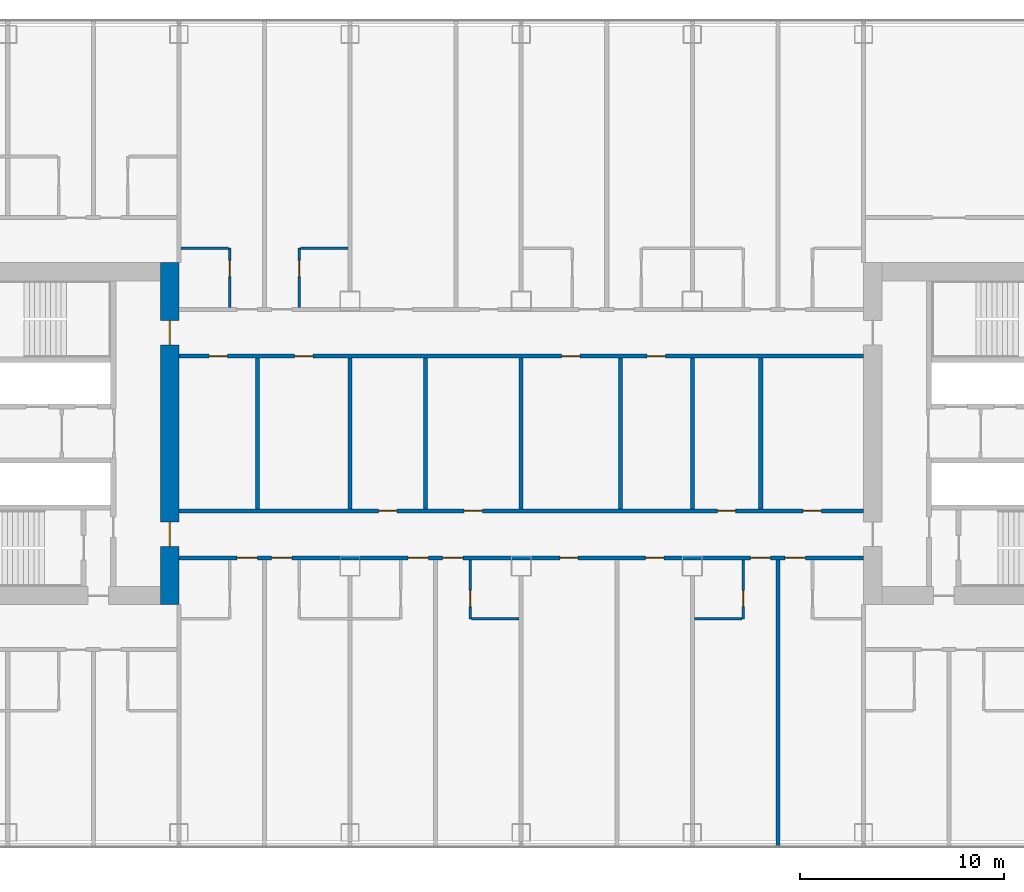
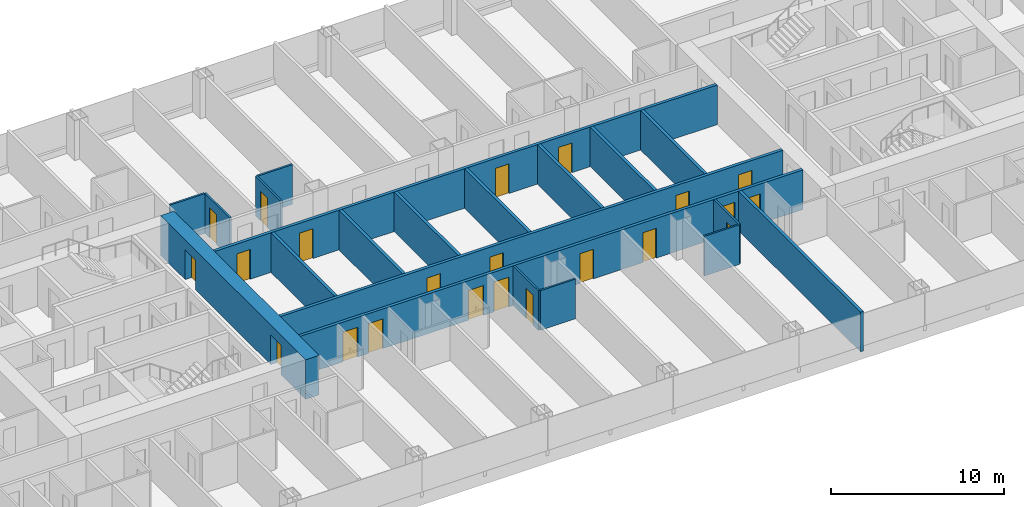
# One storey, part 16 of 29: 22 doors, 20 walls, 22 openings.
"""IFC4 building model written with IfcOpenShell, lengths in metres."""

from ifc_helpers import new_model, si_unit, direction, frame, frame_2d, origin, place, context, subcontext, project, spatial, rectangle, extrude, material, layer, layer_set, type_object, element, fill, save


model = new_model("IFC4")

# Units and contexts
model_context = context("Model", 3, precision=1e-05, world=origin(), true_north=direction((0.0, 1.0)))
body_context = subcontext(model_context, "Body", "Model", "MODEL_VIEW")
ifc_project = project(units=[si_unit("LENGTHUNIT", "METRE"), si_unit("AREAUNIT", "SQUARE_METRE"), si_unit("VOLUMEUNIT", "CUBIC_METRE"), si_unit("PLANEANGLEUNIT", "RADIAN"), si_unit("MASSUNIT", "GRAM", prefix="KILO")], contexts=[model_context])

# Site, building, storey
site_placement = place(None, origin())
site = spatial("IfcSite", under=ifc_project, at=site_placement, CompositionType="ELEMENT")
building_placement = place(site_placement, origin())
building = spatial("IfcBuilding", under=site, at=building_placement, Name="Hakoniwa Tower and Hamabe Station Hall", CompositionType="ELEMENT")
storey_placement = place(building_placement, frame((0.0, 0.0, 55.0)))
storey = spatial("IfcBuildingStorey", under=building, at=storey_placement, Name="L15", CompositionType="ELEMENT", Elevation=55.0)

# Walls
ifc_material_1 = material(Name="Gypsum board partition", Category="gypsum")
ifc_layer_1 = layer(ifc_material_1, 0.125)
ifc_layer_set_1 = layer_set([ifc_layer_1], Name="Bathroom Partition 125")
wall_type_1 = type_object("IfcWallType", Name="Bathroom Partition 125", PredefinedType="PARTITIONING", material=ifc_layer_set_1)
for number, where, z_axis, x_axis, name in (
    (1, (-2.4375, -9.10009765625, 0.0), (0.0, 0.0, 1.0), (1.0, 0.0, 0.0), "GW-L15-015"),
    (2, (8.5, -9.10009765625, 0.0), (0.0, 0.0, 1.0), (1.0, 0.0, 0.0), "GW-L15-016"),
    (3, (-16.699951171875, 9.10009765625, 0.0), (0.0, 0.0, 1.0), (1.0, 0.0, 0.0), "GW-L15-035"),
    (4, (-10.83740234375, 9.10009765625, 0.0), (0.0, 0.0, 1.0), (1.0, 0.0, 0.0), "GW-L15-036"),
):
    element("IfcWall", number, at=place(storey_placement, frame(where, z_axis=z_axis, x_axis=x_axis)), inside=storey, type_object=wall_type_1, Name=name, PredefinedType="PARTITIONING", context=body_context, shape_type="SweptSolid", body=[
        extrude(rectangle(XDim=2.33740234375, YDim=0.125, at=frame_2d((1.168701171875, 0.0))), origin(), (0.0, 0.0, 1.0), 2.800048828125),
    ])

# Wall, opening, door
wall_1_placement = place(storey_placement, frame((-14.300048828125, 6.199951171875, 0.0), z_axis=(0.0, 0.0, 1.0), x_axis=(0.0, 1.0, 0.0)))
wall_1 = element("IfcWall", 5, at=wall_1_placement, inside=storey, type_object=wall_type_1, Name="GW-L15-085", PredefinedType="PARTITIONING", context=body_context, shape_type="SweptSolid", body=[
    extrude(rectangle(XDim=2.900146484375, YDim=0.125, at=frame_2d((1.4501953125, 0.0))), origin(), (0.0, 0.0, 1.0), 2.800048828125),
])
opening_1_placement = place(wall_1_placement, frame((1.5, 0.0, 0.0)))
opening_1 = element("IfcOpeningElement", 6, at=opening_1_placement, cuts=wall_1, Name="Opening GD-G1B2-84", PredefinedType="OPENING", context=body_context, shape_type="SweptSolid", body=[
    extrude(rectangle(XDim=0.800048828125, YDim=2.10009765625, at=frame_2d((0.39990234375, 1.050048828125))), frame((0.0, 0.072509765625, 0.0), z_axis=(0.0, -1.0, 0.0), x_axis=(1.0, 0.0, 0.0)), (0.0, 0.0, 1.0), 0.14501953125),
])
ifc_material_2 = material(Name="Timber door leaf", Category="wood")
door_type_1 = type_object("IfcDoorType", Name="Bathroom Door 800", OperationType="SINGLE_SWING_LEFT", PredefinedType="DOOR", material=ifc_material_2)
door_1_placement = place(opening_1_placement, origin())
door_1 = element("IfcDoor", 7, at=door_1_placement, inside=storey, type_object=door_type_1, Name="Door GD-G1B2-84", OperationType="SINGLE_SWING_LEFT", OverallHeight=2.10009765625, OverallWidth=0.800048828125, PredefinedType="DOOR", context=body_context, shape_type="SweptSolid", body=[
    extrude(rectangle(XDim=0.800048828125, YDim=2.10009765625, at=frame_2d((0.39990234375, 1.050048828125))), frame((0.0, 0.02490234375, 0.0), z_axis=(0.0, -1.0, 0.0), x_axis=(1.0, 0.0, 0.0)), (0.0, 0.0, 1.0), 0.050048828125),
])
fill(opening_1, door_1)

wall_2_placement = place(storey_placement, frame((-10.89990234375, 6.199951171875, 0.0), z_axis=(0.0, 0.0, 1.0), x_axis=(0.0, 1.0, 0.0)))
wall_2 = element("IfcWall", 8, at=wall_2_placement, inside=storey, type_object=wall_type_1, Name="GW-L15-090", PredefinedType="PARTITIONING", context=body_context, shape_type="SweptSolid", body=[
    extrude(rectangle(XDim=2.900146484375, YDim=0.125, at=frame_2d((1.4501953125, 0.0))), origin(), (0.0, 0.0, 1.0), 2.800048828125),
])
opening_2_placement = place(wall_2_placement, frame((1.5, 0.0, 0.0)))
opening_2 = element("IfcOpeningElement", 9, at=opening_2_placement, cuts=wall_2, Name="Opening GD-G1B2-86", PredefinedType="OPENING", context=body_context, shape_type="SweptSolid", body=[
    extrude(rectangle(XDim=0.800048828125, YDim=2.10009765625, at=frame_2d((0.39990234375, 1.050048828125))), frame((0.0, 0.072509765625, 0.0), z_axis=(0.0, -1.0, 0.0), x_axis=(1.0, 0.0, 0.0)), (0.0, 0.0, 1.0), 0.14501953125),
])
door_2_placement = place(opening_2_placement, origin())
door_2 = element("IfcDoor", 10, at=door_2_placement, inside=storey, type_object=door_type_1, Name="Door GD-G1B2-86", OperationType="SINGLE_SWING_RIGHT", OverallHeight=2.10009765625, OverallWidth=0.800048828125, PredefinedType="DOOR", context=body_context, shape_type="SweptSolid", body=[
    extrude(rectangle(XDim=0.800048828125, YDim=2.10009765625, at=frame_2d((0.39990234375, 1.050048828125))), frame((0.0, 0.02490234375, 0.0), z_axis=(0.0, -1.0, 0.0), x_axis=(1.0, 0.0, 0.0)), (0.0, 0.0, 1.0), 0.050048828125),
])
fill(opening_2, door_2)

wall_3_placement = place(storey_placement, frame((-2.5, -9.10009765625, 0.0), z_axis=(0.0, 0.0, 1.0), x_axis=(0.0, 1.0, 0.0)))
wall_3 = element("IfcWall", 11, at=wall_3_placement, inside=storey, type_object=wall_type_1, Name="GW-L15-098", PredefinedType="PARTITIONING", context=body_context, shape_type="SweptSolid", body=[
    extrude(rectangle(XDim=2.900146484375, YDim=0.125, at=frame_2d((1.4501953125, 0.0))), origin(), (0.0, 0.0, 1.0), 2.800048828125),
])
opening_3_placement = place(wall_3_placement, frame((0.60009765625, 0.0, 0.0)))
opening_3 = element("IfcOpeningElement", 12, at=opening_3_placement, cuts=wall_3, Name="Opening GD-G1B2-88", PredefinedType="OPENING", context=body_context, shape_type="SweptSolid", body=[
    extrude(rectangle(XDim=0.800048828125, YDim=2.10009765625, at=frame_2d((0.39990234375, 1.050048828125))), frame((0.0, 0.072509765625, 0.0), z_axis=(0.0, -1.0, 0.0), x_axis=(1.0, 0.0, 0.0)), (0.0, 0.0, 1.0), 0.14501953125),
])
door_3_placement = place(opening_3_placement, origin())
door_3 = element("IfcDoor", 13, at=door_3_placement, inside=storey, type_object=door_type_1, Name="Door GD-G1B2-88", OperationType="SINGLE_SWING_LEFT", OverallHeight=2.10009765625, OverallWidth=0.800048828125, PredefinedType="DOOR", context=body_context, shape_type="SweptSolid", body=[
    extrude(rectangle(XDim=0.800048828125, YDim=2.10009765625, at=frame_2d((0.39990234375, 1.050048828125))), frame((0.0, 0.02490234375, 0.0), z_axis=(0.0, -1.0, 0.0), x_axis=(1.0, 0.0, 0.0)), (0.0, 0.0, 1.0), 0.050048828125),
])
fill(opening_3, door_3)

wall_4_placement = place(storey_placement, frame((10.89990234375, -9.10009765625, 0.0), z_axis=(0.0, 0.0, 1.0), x_axis=(0.0, 1.0, 0.0)))
wall_4 = element("IfcWall", 14, at=wall_4_placement, inside=storey, type_object=wall_type_1, Name="GW-L15-110", PredefinedType="PARTITIONING", context=body_context, shape_type="SweptSolid", body=[
    extrude(rectangle(XDim=2.900146484375, YDim=0.125, at=frame_2d((1.4501953125, 0.0))), origin(), (0.0, 0.0, 1.0), 2.800048828125),
])
opening_4_placement = place(wall_4_placement, frame((0.60009765625, 0.0, 0.0)))
opening_4 = element("IfcOpeningElement", 15, at=opening_4_placement, cuts=wall_4, Name="Opening GD-G1B2-91", PredefinedType="OPENING", context=body_context, shape_type="SweptSolid", body=[
    extrude(rectangle(XDim=0.800048828125, YDim=2.10009765625, at=frame_2d((0.39990234375, 1.050048828125))), frame((0.0, 0.072509765625, 0.0), z_axis=(0.0, -1.0, 0.0), x_axis=(1.0, 0.0, 0.0)), (0.0, 0.0, 1.0), 0.14501953125),
])
door_4_placement = place(opening_4_placement, origin())
door_4 = element("IfcDoor", 16, at=door_4_placement, inside=storey, type_object=door_type_1, Name="Door GD-G1B2-91", OperationType="SINGLE_SWING_RIGHT", OverallHeight=2.10009765625, OverallWidth=0.800048828125, PredefinedType="DOOR", context=body_context, shape_type="SweptSolid", body=[
    extrude(rectangle(XDim=0.800048828125, YDim=2.10009765625, at=frame_2d((0.39990234375, 1.050048828125))), frame((0.0, 0.02490234375, 0.0), z_axis=(0.0, -1.0, 0.0), x_axis=(1.0, 0.0, 0.0)), (0.0, 0.0, 1.0), 0.050048828125),
])
fill(opening_4, door_4)

# Wall, openings, doors
ifc_material_3 = material(Name="Concrete C80", Category="concrete")
ifc_layer_2 = layer(ifc_material_3, 0.89990234375)
ifc_layer_set_2 = layer_set([ifc_layer_2], Name="CORE WALL 900 C80")
wall_type_2 = type_object("IfcWallType", Name="CORE WALL 900 C80", PredefinedType="SHEAR", material=ifc_layer_set_2)
wall_5_placement = place(storey_placement, frame((-17.25, -8.39990234375, 0.0), z_axis=(0.0, 0.0, 1.0), x_axis=(0.0, 1.0, 0.0)))
wall_5 = element("IfcWall", 17, at=wall_5_placement, inside=storey, type_object=wall_type_2, Name="Core wall INNER west", PredefinedType="SHEAR", context=body_context, shape_type="SweptSolid", body=[
    extrude(rectangle(XDim=16.7998046875, YDim=0.89990234375, at=frame_2d((8.39990234375, 0.0))), origin(), (0.0, 0.0, 1.0), 2.800048828125),
])
opening_5_placement = place(wall_5_placement, frame((12.75, 0.0, 0.0)))
opening_5 = element("IfcOpeningElement", 18, at=opening_5_placement, cuts=wall_5, Name="Opening CD-W-IN1-12", PredefinedType="OPENING", context=body_context, shape_type="SweptSolid", body=[
    extrude(rectangle(XDim=1.199951171875, YDim=2.10009765625, at=frame_2d((0.60009765625, 1.050048828125))), frame((0.0, 0.4599609375, 0.0), z_axis=(0.0, -1.0, 0.0), x_axis=(1.0, 0.0, 0.0)), (0.0, 0.0, 1.0), 0.919921875),
])
opening_6_placement = place(wall_5_placement, frame((2.85009765625, 0.0, 0.0)))
opening_6 = element("IfcOpeningElement", 19, at=opening_6_placement, cuts=wall_5, Name="Opening CD-W-IN2-12", PredefinedType="OPENING", context=body_context, shape_type="SweptSolid", body=[
    extrude(rectangle(XDim=1.199951171875, YDim=2.10009765625, at=frame_2d((0.60009765625, 1.050048828125))), frame((0.0, 0.4599609375, 0.0), z_axis=(0.0, -1.0, 0.0), x_axis=(1.0, 0.0, 0.0)), (0.0, 0.0, 1.0), 0.919921875),
])
ifc_material_4 = material(Name="Steel fire door", Category="steel")
door_type_2 = type_object("IfcDoorType", Name="CORE DOOR 1200 FD60", OperationType="DOUBLE_DOOR_SINGLE_SWING", PredefinedType="DOOR", material=ifc_material_4)
door_5_placement = place(opening_5_placement, origin())
door_5 = element("IfcDoor", 20, at=door_5_placement, inside=storey, type_object=door_type_2, Name="Lift lobby door", OperationType="DOUBLE_DOOR_SINGLE_SWING", OverallHeight=2.10009765625, OverallWidth=1.199951171875, PredefinedType="DOOR", context=body_context, shape_type="SweptSolid", body=[
    extrude(rectangle(XDim=1.199951171875, YDim=2.10009765625, at=frame_2d((0.60009765625, 1.050048828125))), frame((0.0, 0.02490234375, 0.0), z_axis=(0.0, -1.0, 0.0), x_axis=(1.0, 0.0, 0.0)), (0.0, 0.0, 1.0), 0.050048828125),
])
fill(opening_5, door_5)
door_6_placement = place(opening_6_placement, origin())
door_6 = element("IfcDoor", 21, at=door_6_placement, inside=storey, type_object=door_type_2, Name="Lift lobby door", OperationType="DOUBLE_DOOR_SINGLE_SWING", OverallHeight=2.10009765625, OverallWidth=1.199951171875, PredefinedType="DOOR", context=body_context, shape_type="SweptSolid", body=[
    extrude(rectangle(XDim=1.199951171875, YDim=2.10009765625, at=frame_2d((0.60009765625, 1.050048828125))), frame((0.0, 0.02490234375, 0.0), z_axis=(0.0, -1.0, 0.0), x_axis=(1.0, 0.0, 0.0)), (0.0, 0.0, 1.0), 0.050048828125),
])
fill(opening_6, door_6)

ifc_material_5 = material(Name="Fire-rated gypsum board partition", Category="gypsum")
ifc_layer_3 = layer(ifc_material_5, 0.199951171875)
ifc_layer_set_3 = layer_set([ifc_layer_3], Name="Corridor Wall 200")
wall_type_3 = type_object("IfcWallType", Name="Corridor Wall 200", PredefinedType="PARTITIONING", material=ifc_layer_set_3)
wall_6_placement = place(storey_placement, frame((-16.800048828125, -6.10009765625, 0.0), z_axis=(0.0, 0.0, 1.0), x_axis=(1.0, 0.0, 0.0)))
wall_6 = element("IfcWall", 22, at=wall_6_placement, inside=storey, type_object=wall_type_3, Name="GW-L15-020", PredefinedType="PARTITIONING", context=body_context, shape_type="SweptSolid", body=[
    extrude(rectangle(XDim=33.60009765625, YDim=0.199951171875, at=frame_2d((16.800048828125, 0.0))), origin(), (0.0, 0.0, 1.0), 2.800048828125),
])
opening_7_placement = place(wall_6_placement, frame((2.85009765625, 0.0, 0.0)))
opening_7 = element("IfcOpeningElement", 23, at=opening_7_placement, cuts=wall_6, Name="Opening GD-G1B2-20", PredefinedType="OPENING", context=body_context, shape_type="SweptSolid", body=[
    extrude(rectangle(XDim=1.0, YDim=2.10009765625, at=frame_2d((0.5, 1.050048828125))), frame((0.0, 0.10986328125, 0.0), z_axis=(0.0, -1.0, 0.0), x_axis=(1.0, 0.0, 0.0)), (0.0, 0.0, 1.0), 0.219970703125),
])
opening_8_placement = place(wall_6_placement, frame((4.550048828125, 0.0, 0.0)))
opening_8 = element("IfcOpeningElement", 24, at=opening_8_placement, cuts=wall_6, Name="Opening GD-G1B2-21", PredefinedType="OPENING", context=body_context, shape_type="SweptSolid", body=[
    extrude(rectangle(XDim=1.0, YDim=2.10009765625, at=frame_2d((0.5, 1.050048828125))), frame((0.0, 0.10986328125, 0.0), z_axis=(0.0, -1.0, 0.0), x_axis=(1.0, 0.0, 0.0)), (0.0, 0.0, 1.0), 0.219970703125),
])
opening_9_placement = place(wall_6_placement, frame((11.25, 0.0, 0.0)))
opening_9 = element("IfcOpeningElement", 25, at=opening_9_placement, cuts=wall_6, Name="Opening GD-G1B2-22", PredefinedType="OPENING", context=body_context, shape_type="SweptSolid", body=[
    extrude(rectangle(XDim=1.0, YDim=2.10009765625, at=frame_2d((0.5, 1.050048828125))), frame((0.0, 0.10986328125, 0.0), z_axis=(0.0, -1.0, 0.0), x_axis=(1.0, 0.0, 0.0)), (0.0, 0.0, 1.0), 0.219970703125),
])
opening_10_placement = place(wall_6_placement, frame((12.949951171875, 0.0, 0.0)))
opening_10 = element("IfcOpeningElement", 26, at=opening_10_placement, cuts=wall_6, Name="Opening GD-G1B2-23", PredefinedType="OPENING", context=body_context, shape_type="SweptSolid", body=[
    extrude(rectangle(XDim=1.0, YDim=2.10009765625, at=frame_2d((0.5, 1.050048828125))), frame((0.0, 0.10986328125, 0.0), z_axis=(0.0, -1.0, 0.0), x_axis=(1.0, 0.0, 0.0)), (0.0, 0.0, 1.0), 0.219970703125),
])
opening_11_placement = place(wall_6_placement, frame((18.699951171875, 0.0, 0.0)))
opening_11 = element("IfcOpeningElement", 27, at=opening_11_placement, cuts=wall_6, Name="Opening GD-G1B2-24", PredefinedType="OPENING", context=body_context, shape_type="SweptSolid", body=[
    extrude(rectangle(XDim=0.89990234375, YDim=2.10009765625, at=frame_2d((0.449951171875, 1.050048828125))), frame((0.0, 0.10986328125, 0.0), z_axis=(0.0, -1.0, 0.0), x_axis=(1.0, 0.0, 0.0)), (0.0, 0.0, 1.0), 0.219970703125),
])
opening_12_placement = place(wall_6_placement, frame((22.89990234375, 0.0, 0.0)))
opening_12 = element("IfcOpeningElement", 28, at=opening_12_placement, cuts=wall_6, Name="Opening GD-G1B2-25", PredefinedType="OPENING", context=body_context, shape_type="SweptSolid", body=[
    extrude(rectangle(XDim=0.89990234375, YDim=2.10009765625, at=frame_2d((0.449951171875, 1.050048828125))), frame((0.0, 0.10986328125, 0.0), z_axis=(0.0, -1.0, 0.0), x_axis=(1.0, 0.0, 0.0)), (0.0, 0.0, 1.0), 0.219970703125),
])
opening_13_placement = place(wall_6_placement, frame((28.050048828125, 0.0, 0.0)))
opening_13 = element("IfcOpeningElement", 29, at=opening_13_placement, cuts=wall_6, Name="Opening GD-G1B2-26", PredefinedType="OPENING", context=body_context, shape_type="SweptSolid", body=[
    extrude(rectangle(XDim=1.0, YDim=2.10009765625, at=frame_2d((0.5, 1.050048828125))), frame((0.0, 0.10986328125, 0.0), z_axis=(0.0, -1.0, 0.0), x_axis=(1.0, 0.0, 0.0)), (0.0, 0.0, 1.0), 0.219970703125),
])
opening_14_placement = place(wall_6_placement, frame((29.75, 0.0, 0.0)))
opening_14 = element("IfcOpeningElement", 30, at=opening_14_placement, cuts=wall_6, Name="Opening GD-G1B2-27", PredefinedType="OPENING", context=body_context, shape_type="SweptSolid", body=[
    extrude(rectangle(XDim=1.0, YDim=2.10009765625, at=frame_2d((0.5, 1.050048828125))), frame((0.0, 0.10986328125, 0.0), z_axis=(0.0, -1.0, 0.0), x_axis=(1.0, 0.0, 0.0)), (0.0, 0.0, 1.0), 0.219970703125),
])
ifc_material_6 = material(Name="Timber door leaf", Category="wood")
door_type_3 = type_object("IfcDoorType", Name="Guest Entrance Door 1000", OperationType="SINGLE_SWING_LEFT", PredefinedType="DOOR", material=ifc_material_6)
door_7_placement = place(opening_7_placement, origin())
door_7 = element("IfcDoor", 31, at=door_7_placement, inside=storey, type_object=door_type_3, Name="Door GD-G1B2-20", OperationType="SINGLE_SWING_RIGHT", OverallHeight=2.10009765625, OverallWidth=1.0, PredefinedType="DOOR", context=body_context, shape_type="SweptSolid", body=[
    extrude(rectangle(XDim=1.0, YDim=2.10009765625, at=frame_2d((0.5, 1.050048828125))), frame((0.0, 0.02490234375, 0.0), z_axis=(0.0, -1.0, 0.0), x_axis=(1.0, 0.0, 0.0)), (0.0, 0.0, 1.0), 0.050048828125),
])
fill(opening_7, door_7)
door_8_placement = place(opening_8_placement, origin())
door_8 = element("IfcDoor", 32, at=door_8_placement, inside=storey, type_object=door_type_3, Name="Door GD-G1B2-21", OperationType="SINGLE_SWING_LEFT", OverallHeight=2.10009765625, OverallWidth=1.0, PredefinedType="DOOR", context=body_context, shape_type="SweptSolid", body=[
    extrude(rectangle(XDim=1.0, YDim=2.10009765625, at=frame_2d((0.5, 1.050048828125))), frame((0.0, 0.02490234375, 0.0), z_axis=(0.0, -1.0, 0.0), x_axis=(1.0, 0.0, 0.0)), (0.0, 0.0, 1.0), 0.050048828125),
])
fill(opening_8, door_8)
door_9_placement = place(opening_9_placement, origin())
door_9 = element("IfcDoor", 33, at=door_9_placement, inside=storey, type_object=door_type_3, Name="Door GD-G1B2-22", OperationType="SINGLE_SWING_RIGHT", OverallHeight=2.10009765625, OverallWidth=1.0, PredefinedType="DOOR", context=body_context, shape_type="SweptSolid", body=[
    extrude(rectangle(XDim=1.0, YDim=2.10009765625, at=frame_2d((0.5, 1.050048828125))), frame((0.0, 0.02490234375, 0.0), z_axis=(0.0, -1.0, 0.0), x_axis=(1.0, 0.0, 0.0)), (0.0, 0.0, 1.0), 0.050048828125),
])
fill(opening_9, door_9)
door_10_placement = place(opening_10_placement, origin())
door_10 = element("IfcDoor", 34, at=door_10_placement, inside=storey, type_object=door_type_3, Name="Door GD-G1B2-23", OperationType="SINGLE_SWING_LEFT", OverallHeight=2.10009765625, OverallWidth=1.0, PredefinedType="DOOR", context=body_context, shape_type="SweptSolid", body=[
    extrude(rectangle(XDim=1.0, YDim=2.10009765625, at=frame_2d((0.5, 1.050048828125))), frame((0.0, 0.02490234375, 0.0), z_axis=(0.0, -1.0, 0.0), x_axis=(1.0, 0.0, 0.0)), (0.0, 0.0, 1.0), 0.050048828125),
])
fill(opening_10, door_10)
door_11_placement = place(opening_13_placement, origin())
door_11 = element("IfcDoor", 35, at=door_11_placement, inside=storey, type_object=door_type_3, Name="Door GD-G1B2-26", OperationType="SINGLE_SWING_RIGHT", OverallHeight=2.10009765625, OverallWidth=1.0, PredefinedType="DOOR", context=body_context, shape_type="SweptSolid", body=[
    extrude(rectangle(XDim=1.0, YDim=2.10009765625, at=frame_2d((0.5, 1.050048828125))), frame((0.0, 0.02490234375, 0.0), z_axis=(0.0, -1.0, 0.0), x_axis=(1.0, 0.0, 0.0)), (0.0, 0.0, 1.0), 0.050048828125),
])
fill(opening_13, door_11)
door_12_placement = place(opening_14_placement, origin())
door_12 = element("IfcDoor", 36, at=door_12_placement, inside=storey, type_object=door_type_3, Name="Door GD-G1B2-27", OperationType="SINGLE_SWING_LEFT", OverallHeight=2.10009765625, OverallWidth=1.0, PredefinedType="DOOR", context=body_context, shape_type="SweptSolid", body=[
    extrude(rectangle(XDim=1.0, YDim=2.10009765625, at=frame_2d((0.5, 1.050048828125))), frame((0.0, 0.02490234375, 0.0), z_axis=(0.0, -1.0, 0.0), x_axis=(1.0, 0.0, 0.0)), (0.0, 0.0, 1.0), 0.050048828125),
])
fill(opening_14, door_12)
ifc_material_7 = material(Name="Timber door leaf", Category="wood")
door_type_4 = type_object("IfcDoorType", Name="Service Door 900", OperationType="SINGLE_SWING_LEFT", PredefinedType="DOOR", material=ifc_material_7)
door_13_placement = place(opening_11_placement, origin())
door_13 = element("IfcDoor", 37, at=door_13_placement, inside=storey, type_object=door_type_4, Name="Door GD-G1B2-24", OperationType="SINGLE_SWING_RIGHT", OverallHeight=2.10009765625, OverallWidth=0.89990234375, PredefinedType="DOOR", context=body_context, shape_type="SweptSolid", body=[
    extrude(rectangle(XDim=0.89990234375, YDim=2.10009765625, at=frame_2d((0.449951171875, 1.050048828125))), frame((0.0, 0.02490234375, 0.0), z_axis=(0.0, -1.0, 0.0), x_axis=(1.0, 0.0, 0.0)), (0.0, 0.0, 1.0), 0.050048828125),
])
fill(opening_11, door_13)
door_14_placement = place(opening_12_placement, origin())
door_14 = element("IfcDoor", 38, at=door_14_placement, inside=storey, type_object=door_type_4, Name="Door GD-G1B2-25", OperationType="SINGLE_SWING_LEFT", OverallHeight=2.10009765625, OverallWidth=0.89990234375, PredefinedType="DOOR", context=body_context, shape_type="SweptSolid", body=[
    extrude(rectangle(XDim=0.89990234375, YDim=2.10009765625, at=frame_2d((0.449951171875, 1.050048828125))), frame((0.0, 0.02490234375, 0.0), z_axis=(0.0, -1.0, 0.0), x_axis=(1.0, 0.0, 0.0)), (0.0, 0.0, 1.0), 0.050048828125),
])
fill(opening_12, door_14)

wall_7_placement = place(storey_placement, frame((-16.800048828125, -3.800048828125, 0.0), z_axis=(0.0, 0.0, 1.0), x_axis=(1.0, 0.0, 0.0)))
wall_7 = element("IfcWall", 39, at=wall_7_placement, inside=storey, type_object=wall_type_3, Name="GW-L15-024", PredefinedType="PARTITIONING", context=body_context, shape_type="SweptSolid", body=[
    extrude(rectangle(XDim=33.60009765625, YDim=0.199951171875, at=frame_2d((16.800048828125, 0.0))), origin(), (0.0, 0.0, 1.0), 2.800048828125),
])
opening_15_placement = place(wall_7_placement, frame((9.800048828125, 0.0, 0.0)))
opening_15 = element("IfcOpeningElement", 40, at=opening_15_placement, cuts=wall_7, Name="Opening GD-G1B2-32", PredefinedType="OPENING", context=body_context, shape_type="SweptSolid", body=[
    extrude(rectangle(XDim=0.89990234375, YDim=2.10009765625, at=frame_2d((0.449951171875, 1.050048828125))), frame((0.0, 0.10986328125, 0.0), z_axis=(0.0, -1.0, 0.0), x_axis=(1.0, 0.0, 0.0)), (0.0, 0.0, 1.0), 0.219970703125),
])
opening_16_placement = place(wall_7_placement, frame((14.0, 0.0, 0.0)))
opening_16 = element("IfcOpeningElement", 41, at=opening_16_placement, cuts=wall_7, Name="Opening GD-G1B2-33", PredefinedType="OPENING", context=body_context, shape_type="SweptSolid", body=[
    extrude(rectangle(XDim=0.89990234375, YDim=2.10009765625, at=frame_2d((0.449951171875, 1.050048828125))), frame((0.0, 0.10986328125, 0.0), z_axis=(0.0, -1.0, 0.0), x_axis=(1.0, 0.0, 0.0)), (0.0, 0.0, 1.0), 0.219970703125),
])
opening_17_placement = place(wall_7_placement, frame((26.429931640625, 0.0, 0.0)))
opening_17 = element("IfcOpeningElement", 42, at=opening_17_placement, cuts=wall_7, Name="Opening GD-G1B2-34", PredefinedType="OPENING", context=body_context, shape_type="SweptSolid", body=[
    extrude(rectangle(XDim=0.89990234375, YDim=2.10009765625, at=frame_2d((0.449951171875, 1.050048828125))), frame((0.0, 0.10986328125, 0.0), z_axis=(0.0, -1.0, 0.0), x_axis=(1.0, 0.0, 0.0)), (0.0, 0.0, 1.0), 0.219970703125),
])
opening_18_placement = place(wall_7_placement, frame((30.6298828125, 0.0, 0.0)))
opening_18 = element("IfcOpeningElement", 43, at=opening_18_placement, cuts=wall_7, Name="Opening GD-G1B2-35", PredefinedType="OPENING", context=body_context, shape_type="SweptSolid", body=[
    extrude(rectangle(XDim=0.89990234375, YDim=2.10009765625, at=frame_2d((0.449951171875, 1.050048828125))), frame((0.0, 0.10986328125, 0.0), z_axis=(0.0, -1.0, 0.0), x_axis=(1.0, 0.0, 0.0)), (0.0, 0.0, 1.0), 0.219970703125),
])
door_15_placement = place(opening_15_placement, origin())
door_15 = element("IfcDoor", 44, at=door_15_placement, inside=storey, type_object=door_type_4, Name="Door GD-G1B2-32", OperationType="SINGLE_SWING_RIGHT", OverallHeight=2.10009765625, OverallWidth=0.89990234375, PredefinedType="DOOR", context=body_context, shape_type="SweptSolid", body=[
    extrude(rectangle(XDim=0.89990234375, YDim=2.10009765625, at=frame_2d((0.449951171875, 1.050048828125))), frame((0.0, 0.02490234375, 0.0), z_axis=(0.0, -1.0, 0.0), x_axis=(1.0, 0.0, 0.0)), (0.0, 0.0, 1.0), 0.050048828125),
])
fill(opening_15, door_15)
door_16_placement = place(opening_16_placement, origin())
door_16 = element("IfcDoor", 45, at=door_16_placement, inside=storey, type_object=door_type_4, Name="Door GD-G1B2-33", OperationType="SINGLE_SWING_LEFT", OverallHeight=2.10009765625, OverallWidth=0.89990234375, PredefinedType="DOOR", context=body_context, shape_type="SweptSolid", body=[
    extrude(rectangle(XDim=0.89990234375, YDim=2.10009765625, at=frame_2d((0.449951171875, 1.050048828125))), frame((0.0, 0.02490234375, 0.0), z_axis=(0.0, -1.0, 0.0), x_axis=(1.0, 0.0, 0.0)), (0.0, 0.0, 1.0), 0.050048828125),
])
fill(opening_16, door_16)
door_17_placement = place(opening_17_placement, origin())
door_17 = element("IfcDoor", 46, at=door_17_placement, inside=storey, type_object=door_type_4, Name="Door GD-G1B2-34", OperationType="SINGLE_SWING_RIGHT", OverallHeight=2.10009765625, OverallWidth=0.89990234375, PredefinedType="DOOR", context=body_context, shape_type="SweptSolid", body=[
    extrude(rectangle(XDim=0.89990234375, YDim=2.10009765625, at=frame_2d((0.449951171875, 1.050048828125))), frame((0.0, 0.02490234375, 0.0), z_axis=(0.0, -1.0, 0.0), x_axis=(1.0, 0.0, 0.0)), (0.0, 0.0, 1.0), 0.050048828125),
])
fill(opening_17, door_17)
door_18_placement = place(opening_18_placement, origin())
door_18 = element("IfcDoor", 47, at=door_18_placement, inside=storey, type_object=door_type_4, Name="Door GD-G1B2-35", OperationType="SINGLE_SWING_LEFT", OverallHeight=2.10009765625, OverallWidth=0.89990234375, PredefinedType="DOOR", context=body_context, shape_type="SweptSolid", body=[
    extrude(rectangle(XDim=0.89990234375, YDim=2.10009765625, at=frame_2d((0.449951171875, 1.050048828125))), frame((0.0, 0.02490234375, 0.0), z_axis=(0.0, -1.0, 0.0), x_axis=(1.0, 0.0, 0.0)), (0.0, 0.0, 1.0), 0.050048828125),
])
fill(opening_18, door_18)

wall_8_placement = place(storey_placement, frame((-16.800048828125, 3.800048828125, 0.0), z_axis=(0.0, 0.0, 1.0), x_axis=(1.0, 0.0, 0.0)))
wall_8 = element("IfcWall", 48, at=wall_8_placement, inside=storey, type_object=wall_type_3, Name="GW-L15-027", PredefinedType="PARTITIONING", context=body_context, shape_type="SweptSolid", body=[
    extrude(rectangle(XDim=33.60009765625, YDim=0.199951171875, at=frame_2d((16.800048828125, 0.0))), origin(), (0.0, 0.0, 1.0), 2.800048828125),
])
opening_19_placement = place(wall_8_placement, frame((1.47998046875, 0.0, 0.0)))
opening_19 = element("IfcOpeningElement", 49, at=opening_19_placement, cuts=wall_8, Name="Opening GD-G1B2-36", PredefinedType="OPENING", context=body_context, shape_type="SweptSolid", body=[
    extrude(rectangle(XDim=0.89990234375, YDim=2.10009765625, at=frame_2d((0.449951171875, 1.050048828125))), frame((0.0, 0.10986328125, 0.0), z_axis=(0.0, -1.0, 0.0), x_axis=(1.0, 0.0, 0.0)), (0.0, 0.0, 1.0), 0.219970703125),
])
opening_20_placement = place(wall_8_placement, frame((5.679931640625, 0.0, 0.0)))
opening_20 = element("IfcOpeningElement", 50, at=opening_20_placement, cuts=wall_8, Name="Opening GD-G1B2-37", PredefinedType="OPENING", context=body_context, shape_type="SweptSolid", body=[
    extrude(rectangle(XDim=0.89990234375, YDim=2.10009765625, at=frame_2d((0.449951171875, 1.050048828125))), frame((0.0, 0.10986328125, 0.0), z_axis=(0.0, -1.0, 0.0), x_axis=(1.0, 0.0, 0.0)), (0.0, 0.0, 1.0), 0.219970703125),
])
opening_21_placement = place(wall_8_placement, frame((18.784912109375, 0.0, 0.0)))
opening_21 = element("IfcOpeningElement", 51, at=opening_21_placement, cuts=wall_8, Name="Opening GD-G1B2-38", PredefinedType="OPENING", context=body_context, shape_type="SweptSolid", body=[
    extrude(rectangle(XDim=0.89990234375, YDim=2.10009765625, at=frame_2d((0.449951171875, 1.050048828125))), frame((0.0, 0.10986328125, 0.0), z_axis=(0.0, -1.0, 0.0), x_axis=(1.0, 0.0, 0.0)), (0.0, 0.0, 1.0), 0.219970703125),
])
opening_22_placement = place(wall_8_placement, frame((22.985107421875, 0.0, 0.0)))
opening_22 = element("IfcOpeningElement", 52, at=opening_22_placement, cuts=wall_8, Name="Opening GD-G1B2-39", PredefinedType="OPENING", context=body_context, shape_type="SweptSolid", body=[
    extrude(rectangle(XDim=0.89990234375, YDim=2.10009765625, at=frame_2d((0.449951171875, 1.050048828125))), frame((0.0, 0.10986328125, 0.0), z_axis=(0.0, -1.0, 0.0), x_axis=(1.0, 0.0, 0.0)), (0.0, 0.0, 1.0), 0.219970703125),
])
door_19_placement = place(opening_19_placement, origin())
door_19 = element("IfcDoor", 53, at=door_19_placement, inside=storey, type_object=door_type_4, Name="Door GD-G1B2-36", OperationType="SINGLE_SWING_RIGHT", OverallHeight=2.10009765625, OverallWidth=0.89990234375, PredefinedType="DOOR", context=body_context, shape_type="SweptSolid", body=[
    extrude(rectangle(XDim=0.89990234375, YDim=2.10009765625, at=frame_2d((0.449951171875, 1.050048828125))), frame((0.0, 0.02490234375, 0.0), z_axis=(0.0, -1.0, 0.0), x_axis=(1.0, 0.0, 0.0)), (0.0, 0.0, 1.0), 0.050048828125),
])
fill(opening_19, door_19)
door_20_placement = place(opening_20_placement, origin())
door_20 = element("IfcDoor", 54, at=door_20_placement, inside=storey, type_object=door_type_4, Name="Door GD-G1B2-37", OperationType="SINGLE_SWING_RIGHT", OverallHeight=2.10009765625, OverallWidth=0.89990234375, PredefinedType="DOOR", context=body_context, shape_type="SweptSolid", body=[
    extrude(rectangle(XDim=0.89990234375, YDim=2.10009765625, at=frame_2d((0.449951171875, 1.050048828125))), frame((0.0, 0.02490234375, 0.0), z_axis=(0.0, -1.0, 0.0), x_axis=(1.0, 0.0, 0.0)), (0.0, 0.0, 1.0), 0.050048828125),
])
fill(opening_20, door_20)
door_21_placement = place(opening_21_placement, origin())
door_21 = element("IfcDoor", 55, at=door_21_placement, inside=storey, type_object=door_type_4, Name="Door GD-G1B2-38", OperationType="SINGLE_SWING_LEFT", OverallHeight=2.10009765625, OverallWidth=0.89990234375, PredefinedType="DOOR", context=body_context, shape_type="SweptSolid", body=[
    extrude(rectangle(XDim=0.89990234375, YDim=2.10009765625, at=frame_2d((0.449951171875, 1.050048828125))), frame((0.0, 0.02490234375, 0.0), z_axis=(0.0, -1.0, 0.0), x_axis=(1.0, 0.0, 0.0)), (0.0, 0.0, 1.0), 0.050048828125),
])
fill(opening_21, door_21)
door_22_placement = place(opening_22_placement, origin())
door_22 = element("IfcDoor", 56, at=door_22_placement, inside=storey, type_object=door_type_4, Name="Door GD-G1B2-39", OperationType="SINGLE_SWING_RIGHT", OverallHeight=2.10009765625, OverallWidth=0.89990234375, PredefinedType="DOOR", context=body_context, shape_type="SweptSolid", body=[
    extrude(rectangle(XDim=0.89990234375, YDim=2.10009765625, at=frame_2d((0.449951171875, 1.050048828125))), frame((0.0, 0.02490234375, 0.0), z_axis=(0.0, -1.0, 0.0), x_axis=(1.0, 0.0, 0.0)), (0.0, 0.0, 1.0), 0.050048828125),
])
fill(opening_22, door_22)

# Walls
ifc_material_8 = material(Name="Fire-rated gypsum board partition", Category="gypsum")
ifc_layer_4 = layer(ifc_material_8, 0.199951171875)
ifc_layer_set_4 = layer_set([ifc_layer_4], Name="Party Wall 200")
wall_type_4 = type_object("IfcWallType", Name="Party Wall 200", PredefinedType="PARTITIONING", material=ifc_layer_set_4)
for number, where, z_axis, x_axis, name in (
    (57, (-12.93994140625, -3.699951171875, 0.0), (0.0, 0.0, 1.0), (0.0, 1.0, 0.0), "GW-L15-086"),
    (58, (-8.39990234375, -3.699951171875, 0.0), (0.0, 0.0, 1.0), (0.0, 1.0, 0.0), "GW-L15-092"),
    (59, (-4.699951171875, -3.699951171875, 0.0), (0.0, 0.0, 1.0), (0.0, 1.0, 0.0), "GW-L15-095"),
    (60, (0.0, -3.699951171875, 0.0), (0.0, 0.0, 1.0), (0.0, 1.0, 0.0), "GW-L15-100"),
    (61, (4.8701171875, -3.699951171875, 0.0), (0.0, 0.0, 1.0), (0.0, 1.0, 0.0), "GW-L15-105"),
    (62, (8.39990234375, -3.699951171875, 0.0), (0.0, 0.0, 1.0), (0.0, 1.0, 0.0), "GW-L15-108"),
    (63, (11.760009765625, -3.699951171875, 0.0), (0.0, 0.0, 1.0), (0.0, 1.0, 0.0), "GW-L15-112"),
):
    element("IfcWall", number, at=place(storey_placement, frame(where, z_axis=z_axis, x_axis=x_axis)), inside=storey, type_object=wall_type_4, Name=name, PredefinedType="PARTITIONING", context=body_context, shape_type="SweptSolid", body=[
        extrude(rectangle(XDim=7.39990234375, YDim=0.199951171875, at=frame_2d((3.699951171875, 0.0))), origin(), (0.0, 0.0, 1.0), 2.800048828125),
    ])
wall_9_placement = place(storey_placement, frame((12.60009765625, -20.300048828125, 0.0), z_axis=(0.0, 0.0, 1.0), x_axis=(0.0, 1.0, 0.0)))
element("IfcWall", 64, at=wall_9_placement, inside=storey, type_object=wall_type_4, Name="GW-L15-113", PredefinedType="PARTITIONING", context=body_context, shape_type="SweptSolid", body=[
    extrude(rectangle(XDim=14.10009765625, YDim=0.199951171875, at=frame_2d((7.050048828125, 0.0))), origin(), (0.0, 0.0, 1.0), 2.800048828125),
])

save(model, "model.ifc")
